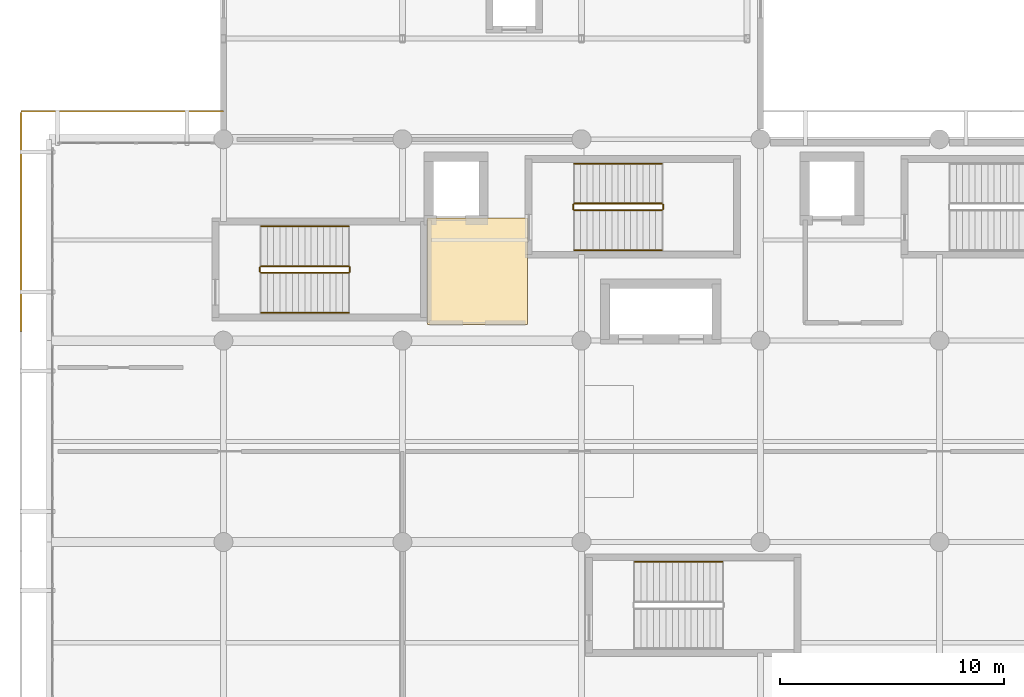
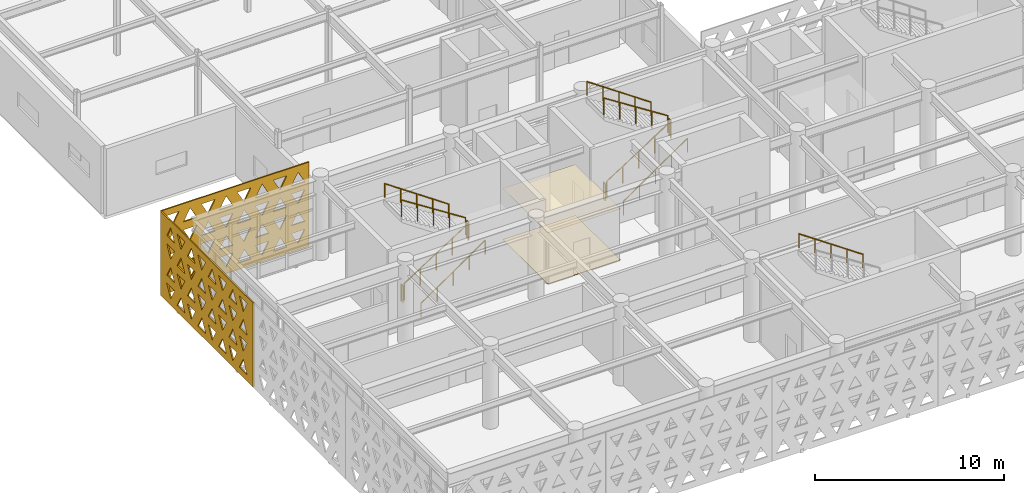
# One storey, part 73 of 84: 13 railings, 4 coverings.
"""IFC4 building model written with IfcOpenShell, lengths in metres."""

from ifc_helpers import new_model, si_unit, direction, frame, origin, origin_2d, place, context, subcontext, project, spatial, polyline, circle, outline, extrude, material, layer, layer_set, type_object, element, save


model = new_model("IFC4")

# Units and contexts
model_context = context("Model", 3, precision=1e-05, world=origin(), true_north=direction((0.0, 1.0)))
body_context = subcontext(model_context, "Body", "Model", "MODEL_VIEW")
ifc_project = project(units=[si_unit("LENGTHUNIT", "METRE"), si_unit("AREAUNIT", "SQUARE_METRE"), si_unit("VOLUMEUNIT", "CUBIC_METRE"), si_unit("PLANEANGLEUNIT", "RADIAN"), si_unit("MASSUNIT", "GRAM", prefix="KILO")], contexts=[model_context])

# Site, building, storey
site_placement = place(None, origin())
site = spatial("IfcSite", under=ifc_project, at=site_placement, CompositionType="ELEMENT")
building_placement = place(site_placement, origin())
building = spatial("IfcBuilding", under=site, at=building_placement, Name="Tlacozan Convention Centre", CompositionType="ELEMENT")
storey_placement = place(building_placement, frame((0.0, 0.0, 6.0)))
storey = spatial("IfcBuildingStorey", under=building, at=storey_placement, Name="L01", CompositionType="ELEMENT", Elevation=6.0)

# Coverings
ifc_material_1 = material(Name="Perforated Acoustic Mineral Fibre Ceiling")
ifc_layer_1 = layer(ifc_material_1, 0.02490234375)
ifc_layer_set_1 = layer_set([ifc_layer_1], Name="Perforated Acoustic Mineral Fibre Ceiling")
covering_type_1 = type_object("IfcCoveringType", Name="Acoustic Mineral Fibre Ceiling 25", PredefinedType="CEILING", material=ifc_layer_set_1)
covering_1_placement = place(storey_placement, frame((0.0, 0.0, 3.300048828125)))
element("IfcCovering", 1, at=covering_1_placement, inside=storey, type_object=covering_type_1, Name="L01 Acoustic Ceiling L01-FFL-1", PredefinedType="CEILING", context=body_context, shape_type="SweptSolid", body=[
    extrude(outline(polyline([(17.1201171875, 18.719970703125), (21.580078125, 18.719970703125), (21.580078125, 23.47998046875), (17.1201171875, 23.47998046875), (17.1201171875, 18.719970703125)])), origin(), (0.0, 0.0, 1.0), 0.02490234375),
])
ifc_material_2 = material(Name="Polished Basalt Terrazzo Flooring", Category="masonry")
ifc_layer_2 = layer(ifc_material_2, 0.02001953125)
ifc_layer_set_2 = layer_set([ifc_layer_2], Name="Polished Basalt Terrazzo Flooring")
covering_type_2 = type_object("IfcCoveringType", Name="Polished Basalt Terrazzo Flooring 20", PredefinedType="FLOORING", material=ifc_layer_set_2)
covering_2_placement = place(storey_placement, origin())
element("IfcCovering", 2, at=covering_2_placement, inside=storey, type_object=covering_type_2, Name="L01 Terrazzo Flooring L01-FFL-1", PredefinedType="FLOORING", context=body_context, shape_type="SweptSolid", body=[
    extrude(outline(polyline([(17.1201171875, 18.719970703125), (21.580078125, 18.719970703125), (21.580078125, 23.47998046875), (17.1201171875, 23.47998046875), (17.1201171875, 18.719970703125)])), origin(), (0.0, 0.0, 1.0), 0.02001953125),
])

# Railings
ifc_material_3 = material(Name="Architectural Painted Galvanised Steel Railing", Category="steel")
railing_type_1 = type_object("IfcRailingType", Name="Stair Wall Handrail 900", PredefinedType="HANDRAIL", material=ifc_material_3)
railing_1_placement = place(storey_placement, frame((23.679931640625, 22.050048828125, 0.179931640625)))
element("IfcRailing", 3, at=railing_1_placement, inside=storey, type_object=railing_type_1, Name="L01 ST-01 stair handrail 1", PredefinedType="HANDRAIL", context=body_context, shape_type="SweptSolid", body=[
    extrude(circle(Radius=0.02392578125, at=origin_2d()), frame((0.0, 0.0, 0.8759765625), z_axis=(0.823567234665, 0.0, 0.567218661528), x_axis=(0.0, 1.0, 0.0)), (0.0, 0.0, 1.0), 4.760009765625),
    extrude(circle(Radius=0.02099609375, at=origin_2d()), origin(), (0.0, 0.0, 1.0), 0.851806640625),
    extrude(circle(Radius=0.02099609375, at=origin_2d()), frame((0.97998046875, 0.0, 0.675048828125)), (0.0, 0.0, 1.0), 0.851806640625),
    extrude(circle(Radius=0.02099609375, at=origin_2d()), frame((1.9599609375, 0.0, 1.35009765625)), (0.0, 0.0, 1.0), 0.851806640625),
    extrude(circle(Radius=0.02099609375, at=origin_2d()), frame((2.940185546875, 0.0, 2.02490234375)), (0.0, 0.0, 1.0), 0.851806640625),
    extrude(circle(Radius=0.02099609375, at=origin_2d()), frame((3.920166015625, 0.0, 2.699951171875)), (0.0, 0.0, 1.0), 0.851806640625),
])
railing_2_placement = place(storey_placement, frame((27.60009765625, 25.909912109375, 2.8798828125)))
element("IfcRailing", 4, at=railing_2_placement, inside=storey, type_object=railing_type_1, Name="L01 ST-01 stair handrail 2", PredefinedType="HANDRAIL", context=body_context, shape_type="SweptSolid", body=[
    extrude(circle(Radius=0.02392578125, at=origin_2d()), frame((0.0, 0.0, 0.8759765625), z_axis=(-0.82354327477, 0.0, 0.567253448276), x_axis=(0.0, -1.0, 0.0)), (0.0, 0.0, 1.0), 4.760009765625),
    extrude(circle(Radius=0.02099609375, at=origin_2d()), origin(), (0.0, 0.0, 1.0), 0.851806640625),
    extrude(circle(Radius=0.02099609375, at=origin_2d()), frame((-0.97998046875, 0.0, 0.675048828125)), (0.0, 0.0, 1.0), 0.851806640625),
    extrude(circle(Radius=0.02099609375, at=origin_2d()), frame((-1.9599609375, 0.0, 1.35009765625)), (0.0, 0.0, 1.0), 0.851806640625),
    extrude(circle(Radius=0.02099609375, at=origin_2d()), frame((-2.940185546875, 0.0, 2.025146484375)), (0.0, 0.0, 1.0), 0.851806640625),
    extrude(circle(Radius=0.02099609375, at=origin_2d()), frame((-3.920166015625, 0.0, 2.7001953125)), (0.0, 0.0, 1.0), 0.851806640625),
])
railing_3_placement = place(storey_placement, frame((9.679931640625, 19.25, 0.179931640625)))
element("IfcRailing", 5, at=railing_3_placement, inside=storey, type_object=railing_type_1, Name="L01 ST-13 stair handrail 1", PredefinedType="HANDRAIL", context=body_context, shape_type="SweptSolid", body=[
    extrude(circle(Radius=0.02392578125, at=origin_2d()), frame((0.0, 0.0, 0.8759765625), z_axis=(0.823567234665, 0.0, 0.567218661528), x_axis=(0.0, 1.0, 0.0)), (0.0, 0.0, 1.0), 4.760009765625),
    extrude(circle(Radius=0.02099609375, at=origin_2d()), origin(), (0.0, 0.0, 1.0), 0.851806640625),
    extrude(circle(Radius=0.02099609375, at=origin_2d()), frame((0.97998046875, 0.0, 0.675048828125)), (0.0, 0.0, 1.0), 0.851806640625),
    extrude(circle(Radius=0.02099609375, at=origin_2d()), frame((1.9599609375, 0.0, 1.35009765625)), (0.0, 0.0, 1.0), 0.851806640625),
    extrude(circle(Radius=0.02099609375, at=origin_2d()), frame((2.940185546875, 0.0, 2.02490234375)), (0.0, 0.0, 1.0), 0.851806640625),
    extrude(circle(Radius=0.02099609375, at=origin_2d()), frame((3.920166015625, 0.0, 2.699951171875)), (0.0, 0.0, 1.0), 0.851806640625),
])
for number, where, name in (
    (6, (13.60009765625, 23.110107421875, 2.8798828125), "L01 ST-13 stair handrail 2"),
    (7, (30.300048828125, 8.110107421875, 2.8798828125), "L01 ST-16 stair handrail 2"),
):
    element("IfcRailing", number, at=place(storey_placement, frame(where)), inside=storey, type_object=railing_type_1, Name=name, PredefinedType="HANDRAIL", context=body_context, shape_type="SweptSolid", body=[
        extrude(circle(Radius=0.02392578125, at=origin_2d()), frame((0.0, 0.0, 0.8759765625), z_axis=(-0.82354327477, 0.0, 0.567253448276), x_axis=(0.0, -1.0, 0.0)), (0.0, 0.0, 1.0), 4.760009765625),
        extrude(circle(Radius=0.02099609375, at=origin_2d()), origin(), (0.0, 0.0, 1.0), 0.851806640625),
        extrude(circle(Radius=0.02099609375, at=origin_2d()), frame((-0.97998046875, 0.0, 0.675048828125)), (0.0, 0.0, 1.0), 0.851806640625),
        extrude(circle(Radius=0.02099609375, at=origin_2d()), frame((-1.9599609375, 0.0, 1.35009765625)), (0.0, 0.0, 1.0), 0.851806640625),
        extrude(circle(Radius=0.02099609375, at=origin_2d()), frame((-2.940185546875, 0.0, 2.025146484375)), (0.0, 0.0, 1.0), 0.851806640625),
        extrude(circle(Radius=0.02099609375, at=origin_2d()), frame((-3.920166015625, 0.0, 2.7001953125)), (0.0, 0.0, 1.0), 0.851806640625),
    ])
railing_type_2 = type_object("IfcRailingType", Name="Stair Well Guardrail 1100", PredefinedType="GUARDRAIL", material=ifc_material_3)
railing_4_placement = place(storey_placement, frame((23.679931640625, 23.830078125, 0.179931640625)))
element("IfcRailing", 8, at=railing_4_placement, inside=storey, type_object=railing_type_2, Name="L01 ST-01 stair guard 1", PredefinedType="GUARDRAIL", context=body_context, shape_type="SweptSolid", body=[
    extrude(circle(Radius=0.02392578125, at=origin_2d()), frame((0.0, 0.0, 1.076171875), z_axis=(0.841186985886, 0.0, 0.540744352514), x_axis=(0.0, 1.0, 0.0)), (0.0, 0.0, 1.0), 4.660400390625),
    extrude(circle(Radius=0.02099609375, at=origin_2d()), origin(), (0.0, 0.0, 1.0), 1.052001953125),
    extrude(circle(Radius=0.02099609375, at=origin_2d()), frame((0.97998046875, 0.0, 0.6298828125)), (0.0, 0.0, 1.0), 1.052001953125),
    extrude(circle(Radius=0.02099609375, at=origin_2d()), frame((1.9599609375, 0.0, 1.260009765625)), (0.0, 0.0, 1.0), 1.052001953125),
    extrude(circle(Radius=0.02099609375, at=origin_2d()), frame((2.940185546875, 0.0, 1.89013671875)), (0.0, 0.0, 1.0), 1.052001953125),
    extrude(circle(Radius=0.02099609375, at=origin_2d()), frame((3.920166015625, 0.0, 2.52001953125)), (0.0, 0.0, 1.0), 1.052001953125),
])
railing_5_placement = place(storey_placement, frame((27.64990234375, 23.8798828125, 2.699951171875)))
element("IfcRailing", 9, at=railing_5_placement, inside=storey, type_object=railing_type_2, Name="L01 ST-01 stair guard 2", PredefinedType="GUARDRAIL", context=body_context, shape_type="SweptSolid", body=[
    extrude(circle(Radius=0.02392578125, at=origin_2d()), frame((0.0, 0.0, 1.076171875), z_axis=(0.0, 1.0, 0.0), x_axis=(-1.0, 0.0, 0.0)), (0.0, 0.0, 1.0), 0.2001953125),
    extrude(circle(Radius=0.02099609375, at=origin_2d()), origin(), (0.0, 0.0, 1.0), 1.052001953125),
    extrude(circle(Radius=0.02099609375, at=origin_2d()), frame((0.0, 0.2001953125, 0.0)), (0.0, 0.0, 1.0), 1.052001953125),
])
railing_6_placement = place(storey_placement, frame((27.60009765625, 24.1298828125, 2.8798828125)))
element("IfcRailing", 10, at=railing_6_placement, inside=storey, type_object=railing_type_2, Name="L01 ST-01 stair guard 3", PredefinedType="GUARDRAIL", context=body_context, shape_type="SweptSolid", body=[
    extrude(circle(Radius=0.02392578125, at=origin_2d()), frame((0.0, 0.0, 1.076171875), z_axis=(-0.841186985886, 0.0, 0.540744352514), x_axis=(0.0, -1.0, 0.0)), (0.0, 0.0, 1.0), 4.660400390625),
    extrude(circle(Radius=0.02099609375, at=origin_2d()), origin(), (0.0, 0.0, 1.0), 1.052001953125),
    extrude(circle(Radius=0.02099609375, at=origin_2d()), frame((-0.97998046875, 0.0, 0.6298828125)), (0.0, 0.0, 1.0), 1.052001953125),
    extrude(circle(Radius=0.02099609375, at=origin_2d()), frame((-1.9599609375, 0.0, 1.260009765625)), (0.0, 0.0, 1.0), 1.052001953125),
    extrude(circle(Radius=0.02099609375, at=origin_2d()), frame((-2.940185546875, 0.0, 1.89013671875)), (0.0, 0.0, 1.0), 1.052001953125),
    extrude(circle(Radius=0.02099609375, at=origin_2d()), frame((-3.920166015625, 0.0, 2.52001953125)), (0.0, 0.0, 1.0), 1.052001953125),
])
railing_7_placement = place(storey_placement, frame((23.6298828125, 23.8798828125, 0.0)))
element("IfcRailing", 11, at=railing_7_placement, inside=storey, type_object=railing_type_2, Name="L01 ST-01 stair guard 4", PredefinedType="GUARDRAIL", context=body_context, shape_type="SweptSolid", body=[
    extrude(circle(Radius=0.02392578125, at=origin_2d()), frame((0.0, 0.0, 1.076171875), z_axis=(0.0, 1.0, 0.0), x_axis=(-1.0, 0.0, 0.0)), (0.0, 0.0, 1.0), 0.2001953125),
    extrude(circle(Radius=0.02099609375, at=origin_2d()), origin(), (0.0, 0.0, 1.0), 1.052001953125),
    extrude(circle(Radius=0.02099609375, at=origin_2d()), frame((0.0, 0.2001953125, 0.0)), (0.0, 0.0, 1.0), 1.052001953125),
])
railing_8_placement = place(storey_placement, frame((9.679931640625, 21.030029296875, 0.179931640625)))
element("IfcRailing", 12, at=railing_8_placement, inside=storey, type_object=railing_type_2, Name="L01 ST-13 stair guard 1", PredefinedType="GUARDRAIL", context=body_context, shape_type="SweptSolid", body=[
    extrude(circle(Radius=0.02392578125, at=origin_2d()), frame((0.0, 0.0, 1.076171875), z_axis=(0.841186985886, 0.0, 0.540744352514), x_axis=(0.0, 1.0, 0.0)), (0.0, 0.0, 1.0), 4.660400390625),
    extrude(circle(Radius=0.02099609375, at=origin_2d()), origin(), (0.0, 0.0, 1.0), 1.052001953125),
    extrude(circle(Radius=0.02099609375, at=origin_2d()), frame((0.97998046875, 0.0, 0.6298828125)), (0.0, 0.0, 1.0), 1.052001953125),
    extrude(circle(Radius=0.02099609375, at=origin_2d()), frame((1.9599609375, 0.0, 1.260009765625)), (0.0, 0.0, 1.0), 1.052001953125),
    extrude(circle(Radius=0.02099609375, at=origin_2d()), frame((2.940185546875, 0.0, 1.89013671875)), (0.0, 0.0, 1.0), 1.052001953125),
    extrude(circle(Radius=0.02099609375, at=origin_2d()), frame((3.920166015625, 0.0, 2.52001953125)), (0.0, 0.0, 1.0), 1.052001953125),
])
railing_9_placement = place(storey_placement, frame((13.64990234375, 21.080078125, 2.699951171875)))
element("IfcRailing", 13, at=railing_9_placement, inside=storey, type_object=railing_type_2, Name="L01 ST-13 stair guard 2", PredefinedType="GUARDRAIL", context=body_context, shape_type="SweptSolid", body=[
    extrude(circle(Radius=0.02392578125, at=origin_2d()), frame((0.0, 0.0, 1.076171875), z_axis=(0.0, 1.0, 0.0), x_axis=(-1.0, 0.0, 0.0)), (0.0, 0.0, 1.0), 0.199951171875),
    extrude(circle(Radius=0.02099609375, at=origin_2d()), origin(), (0.0, 0.0, 1.0), 1.052001953125),
    extrude(circle(Radius=0.02099609375, at=origin_2d()), frame((0.0, 0.199951171875, 0.0)), (0.0, 0.0, 1.0), 1.052001953125),
])
railing_10_placement = place(storey_placement, frame((13.60009765625, 21.330078125, 2.8798828125)))
element("IfcRailing", 14, at=railing_10_placement, inside=storey, type_object=railing_type_2, Name="L01 ST-13 stair guard 3", PredefinedType="GUARDRAIL", context=body_context, shape_type="SweptSolid", body=[
    extrude(circle(Radius=0.02392578125, at=origin_2d()), frame((0.0, 0.0, 1.076171875), z_axis=(-0.841186985886, 0.0, 0.540744352514), x_axis=(0.0, -1.0, 0.0)), (0.0, 0.0, 1.0), 4.660400390625),
    extrude(circle(Radius=0.02099609375, at=origin_2d()), origin(), (0.0, 0.0, 1.0), 1.052001953125),
    extrude(circle(Radius=0.02099609375, at=origin_2d()), frame((-0.97998046875, 0.0, 0.6298828125)), (0.0, 0.0, 1.0), 1.052001953125),
    extrude(circle(Radius=0.02099609375, at=origin_2d()), frame((-1.9599609375, 0.0, 1.260009765625)), (0.0, 0.0, 1.0), 1.052001953125),
    extrude(circle(Radius=0.02099609375, at=origin_2d()), frame((-2.940185546875, 0.0, 1.89013671875)), (0.0, 0.0, 1.0), 1.052001953125),
    extrude(circle(Radius=0.02099609375, at=origin_2d()), frame((-3.920166015625, 0.0, 2.52001953125)), (0.0, 0.0, 1.0), 1.052001953125),
])
railing_11_placement = place(storey_placement, frame((9.6298828125, 21.080078125, 0.0)))
element("IfcRailing", 15, at=railing_11_placement, inside=storey, type_object=railing_type_2, Name="L01 ST-13 stair guard 4", PredefinedType="GUARDRAIL", context=body_context, shape_type="SweptSolid", body=[
    extrude(circle(Radius=0.02392578125, at=origin_2d()), frame((0.0, 0.0, 1.076171875), z_axis=(0.0, 1.0, 0.0), x_axis=(-1.0, 0.0, 0.0)), (0.0, 0.0, 1.0), 0.199951171875),
    extrude(circle(Radius=0.02099609375, at=origin_2d()), origin(), (0.0, 0.0, 1.0), 1.052001953125),
    extrude(circle(Radius=0.02099609375, at=origin_2d()), frame((0.0, 0.199951171875, 0.0)), (0.0, 0.0, 1.0), 1.052001953125),
])

# Coverings
ifc_material_4 = material(Name="Toluca Fired Terracotta Masonry Solar Screen", Category="masonry")
ifc_layer_3 = layer(ifc_material_4, 0.080078125)
ifc_layer_set_3 = layer_set([ifc_layer_3], Name="Toluca Fired Terracotta Masonry Solar Screen")
covering_type_3 = type_object("IfcCoveringType", Name="Terracotta Triangle Solar Screen 80", PredefinedType="USERDEFINED", material=ifc_layer_set_3)
covering_3_placement = place(storey_placement, frame((-1.050048828125, 18.404296875, -0.10009765625), z_axis=(0.0, 0.0, 1.0), x_axis=(0.0, 1.0, 0.0)))
element("IfcCovering", 16, at=covering_3_placement, inside=storey, type_object=covering_type_3, Name="L01 Terracotta Triangle Screen 15", ObjectType="SCREEN", PredefinedType="USERDEFINED", context=body_context, shape_type="SweptSolid", body=[
    extrude(outline(polyline([(0.0, 0.0), (9.80078125, 0.0), (9.80078125, 5.4501953125), (0.0, 5.4501953125), (0.0, 0.0)]), holes=[polyline([(0.636474609375, 0.41796875), (1.46435546875, 0.41796875), (1.05029296875, 1.1845703125), (0.636474609375, 0.41796875)]), polyline([(1.736328125, 1.1845703125), (2.564453125, 1.1845703125), (2.150390625, 0.41796875), (1.736328125, 1.1845703125)]), polyline([(2.83642578125, 0.41796875), (3.664306640625, 0.41796875), (3.25048828125, 1.1845703125), (2.83642578125, 0.41796875)]), polyline([(3.936279296875, 1.1845703125), (4.764404296875, 1.1845703125), (4.350341796875, 0.41796875), (3.936279296875, 1.1845703125)]), polyline([(5.036376953125, 0.41796875), (5.864501953125, 0.41796875), (5.450439453125, 1.1845703125), (5.036376953125, 0.41796875)]), polyline([(6.136474609375, 1.1845703125), (6.96435546875, 1.1845703125), (6.55029296875, 0.41796875), (6.136474609375, 1.1845703125)]), polyline([(7.236328125, 0.41796875), (8.064453125, 0.41796875), (7.650390625, 1.1845703125), (7.236328125, 0.41796875)]), polyline([(8.33642578125, 1.1845703125), (9.164306640625, 1.1845703125), (8.75048828125, 0.41796875), (8.33642578125, 1.1845703125)]), polyline([(0.636474609375, 2.46728515625), (1.46435546875, 2.46728515625), (1.05029296875, 1.700439453125), (0.636474609375, 2.46728515625)]), polyline([(1.736328125, 1.700439453125), (2.564453125, 1.700439453125), (2.150390625, 2.46728515625), (1.736328125, 1.700439453125)]), polyline([(2.83642578125, 2.46728515625), (3.664306640625, 2.46728515625), (3.25048828125, 1.700439453125), (2.83642578125, 2.46728515625)]), polyline([(3.936279296875, 1.700439453125), (4.764404296875, 1.700439453125), (4.350341796875, 2.46728515625), (3.936279296875, 1.700439453125)]), polyline([(5.036376953125, 2.46728515625), (5.864501953125, 2.46728515625), (5.450439453125, 1.700439453125), (5.036376953125, 2.46728515625)]), polyline([(6.136474609375, 1.700439453125), (6.96435546875, 1.700439453125), (6.55029296875, 2.46728515625), (6.136474609375, 1.700439453125)]), polyline([(7.236328125, 2.46728515625), (8.064453125, 2.46728515625), (7.650390625, 1.700439453125), (7.236328125, 2.46728515625)]), polyline([(8.33642578125, 1.700439453125), (9.164306640625, 1.700439453125), (8.75048828125, 2.46728515625), (8.33642578125, 1.700439453125)]), polyline([(0.636474609375, 2.98291015625), (1.46435546875, 2.98291015625), (1.05029296875, 3.749755859375), (0.636474609375, 2.98291015625)]), polyline([(1.736328125, 3.749755859375), (2.564453125, 3.749755859375), (2.150390625, 2.98291015625), (1.736328125, 3.749755859375)]), polyline([(2.83642578125, 2.98291015625), (3.664306640625, 2.98291015625), (3.25048828125, 3.749755859375), (2.83642578125, 2.98291015625)]), polyline([(3.936279296875, 3.749755859375), (4.764404296875, 3.749755859375), (4.350341796875, 2.98291015625), (3.936279296875, 3.749755859375)]), polyline([(5.036376953125, 2.98291015625), (5.864501953125, 2.98291015625), (5.450439453125, 3.749755859375), (5.036376953125, 2.98291015625)]), polyline([(6.136474609375, 3.749755859375), (6.96435546875, 3.749755859375), (6.55029296875, 2.98291015625), (6.136474609375, 3.749755859375)]), polyline([(7.236328125, 2.98291015625), (8.064453125, 2.98291015625), (7.650390625, 3.749755859375), (7.236328125, 2.98291015625)]), polyline([(8.33642578125, 3.749755859375), (9.164306640625, 3.749755859375), (8.75048828125, 2.98291015625), (8.33642578125, 3.749755859375)]), polyline([(0.636474609375, 5.0322265625), (1.46435546875, 5.0322265625), (1.05029296875, 4.265625), (0.636474609375, 5.0322265625)]), polyline([(1.736328125, 4.265625), (2.564453125, 4.265625), (2.150390625, 5.0322265625), (1.736328125, 4.265625)]), polyline([(2.83642578125, 5.0322265625), (3.664306640625, 5.0322265625), (3.25048828125, 4.265625), (2.83642578125, 5.0322265625)]), polyline([(3.936279296875, 4.265625), (4.764404296875, 4.265625), (4.350341796875, 5.0322265625), (3.936279296875, 4.265625)]), polyline([(5.036376953125, 5.0322265625), (5.864501953125, 5.0322265625), (5.450439453125, 4.265625), (5.036376953125, 5.0322265625)]), polyline([(6.136474609375, 4.265625), (6.96435546875, 4.265625), (6.55029296875, 5.0322265625), (6.136474609375, 4.265625)]), polyline([(7.236328125, 5.0322265625), (8.064453125, 5.0322265625), (7.650390625, 4.265625), (7.236328125, 5.0322265625)]), polyline([(8.33642578125, 4.265625), (9.164306640625, 4.265625), (8.75048828125, 5.0322265625), (8.33642578125, 4.265625)])]), frame((0.0, 0.0400390625, 0.0), z_axis=(0.0, -1.0, 0.0), x_axis=(1.0, 0.0, 0.0)), (0.0, 0.0, 1.0), 0.080078125),
])
covering_4_placement = place(storey_placement, frame((-1.048095703125, 28.25, -0.10009765625), z_axis=(0.0, 0.0, 1.0), x_axis=(1.0, 0.0, 0.0)))
element("IfcCovering", 17, at=covering_4_placement, inside=storey, type_object=covering_type_3, Name="L01 Terracotta Triangle Screen 19", ObjectType="SCREEN", PredefinedType="USERDEFINED", context=body_context, shape_type="SweptSolid", body=[
    extrude(outline(polyline([(0.0, 0.0), (9.046142578125, 0.0), (9.046142578125, 5.4501953125), (0.0, 5.4501953125), (0.0, 0.0)]), holes=[polyline([(0.259033203125, 0.41796875), (1.087158203125, 0.41796875), (0.673095703125, 1.1845703125), (0.259033203125, 0.41796875)]), polyline([(1.359130859375, 1.1845703125), (2.18701171875, 1.1845703125), (1.77294921875, 0.41796875), (1.359130859375, 1.1845703125)]), polyline([(2.458984375, 0.41796875), (3.287109375, 0.41796875), (2.873046875, 1.1845703125), (2.458984375, 0.41796875)]), polyline([(3.55908203125, 1.1845703125), (4.38720703125, 1.1845703125), (3.97314453125, 0.41796875), (3.55908203125, 1.1845703125)]), polyline([(4.658935546875, 0.41796875), (5.487060546875, 0.41796875), (5.072998046875, 1.1845703125), (4.658935546875, 0.41796875)]), polyline([(5.759033203125, 1.1845703125), (6.587158203125, 1.1845703125), (6.173095703125, 0.41796875), (5.759033203125, 1.1845703125)]), polyline([(6.859130859375, 0.41796875), (7.68701171875, 0.41796875), (7.27294921875, 1.1845703125), (6.859130859375, 0.41796875)]), polyline([(7.958984375, 1.1845703125), (8.787109375, 1.1845703125), (8.373046875, 0.41796875), (7.958984375, 1.1845703125)]), polyline([(0.259033203125, 2.46728515625), (1.087158203125, 2.46728515625), (0.673095703125, 1.700439453125), (0.259033203125, 2.46728515625)]), polyline([(1.359130859375, 1.700439453125), (2.18701171875, 1.700439453125), (1.77294921875, 2.46728515625), (1.359130859375, 1.700439453125)]), polyline([(2.458984375, 2.46728515625), (3.287109375, 2.46728515625), (2.873046875, 1.700439453125), (2.458984375, 2.46728515625)]), polyline([(3.55908203125, 1.700439453125), (4.38720703125, 1.700439453125), (3.97314453125, 2.46728515625), (3.55908203125, 1.700439453125)]), polyline([(4.658935546875, 2.46728515625), (5.487060546875, 2.46728515625), (5.072998046875, 1.700439453125), (4.658935546875, 2.46728515625)]), polyline([(5.759033203125, 1.700439453125), (6.587158203125, 1.700439453125), (6.173095703125, 2.46728515625), (5.759033203125, 1.700439453125)]), polyline([(6.859130859375, 2.46728515625), (7.68701171875, 2.46728515625), (7.27294921875, 1.700439453125), (6.859130859375, 2.46728515625)]), polyline([(7.958984375, 1.700439453125), (8.787109375, 1.700439453125), (8.373046875, 2.46728515625), (7.958984375, 1.700439453125)]), polyline([(0.259033203125, 2.98291015625), (1.087158203125, 2.98291015625), (0.673095703125, 3.749755859375), (0.259033203125, 2.98291015625)]), polyline([(1.359130859375, 3.749755859375), (2.18701171875, 3.749755859375), (1.77294921875, 2.98291015625), (1.359130859375, 3.749755859375)]), polyline([(2.458984375, 2.98291015625), (3.287109375, 2.98291015625), (2.873046875, 3.749755859375), (2.458984375, 2.98291015625)]), polyline([(3.55908203125, 3.749755859375), (4.38720703125, 3.749755859375), (3.97314453125, 2.98291015625), (3.55908203125, 3.749755859375)]), polyline([(4.658935546875, 2.98291015625), (5.487060546875, 2.98291015625), (5.072998046875, 3.749755859375), (4.658935546875, 2.98291015625)]), polyline([(5.759033203125, 3.749755859375), (6.587158203125, 3.749755859375), (6.173095703125, 2.98291015625), (5.759033203125, 3.749755859375)]), polyline([(6.859130859375, 2.98291015625), (7.68701171875, 2.98291015625), (7.27294921875, 3.749755859375), (6.859130859375, 2.98291015625)]), polyline([(7.958984375, 3.749755859375), (8.787109375, 3.749755859375), (8.373046875, 2.98291015625), (7.958984375, 3.749755859375)]), polyline([(0.259033203125, 5.0322265625), (1.087158203125, 5.0322265625), (0.673095703125, 4.265625), (0.259033203125, 5.0322265625)]), polyline([(1.359130859375, 4.265625), (2.18701171875, 4.265625), (1.77294921875, 5.0322265625), (1.359130859375, 4.265625)]), polyline([(2.458984375, 5.0322265625), (3.287109375, 5.0322265625), (2.873046875, 4.265625), (2.458984375, 5.0322265625)]), polyline([(3.55908203125, 4.265625), (4.38720703125, 4.265625), (3.97314453125, 5.0322265625), (3.55908203125, 4.265625)]), polyline([(4.658935546875, 5.0322265625), (5.487060546875, 5.0322265625), (5.072998046875, 4.265625), (4.658935546875, 5.0322265625)]), polyline([(5.759033203125, 4.265625), (6.587158203125, 4.265625), (6.173095703125, 5.0322265625), (5.759033203125, 4.265625)]), polyline([(6.859130859375, 5.0322265625), (7.68701171875, 5.0322265625), (7.27294921875, 4.265625), (6.859130859375, 5.0322265625)]), polyline([(7.958984375, 4.265625), (8.787109375, 4.265625), (8.373046875, 5.0322265625), (7.958984375, 4.265625)])]), frame((0.0, 0.0400390625, 0.0), z_axis=(0.0, -1.0, 0.0), x_axis=(1.0, 0.0, 0.0)), (0.0, 0.0, 1.0), 0.080078125),
])

save(model, "model.ifc")
